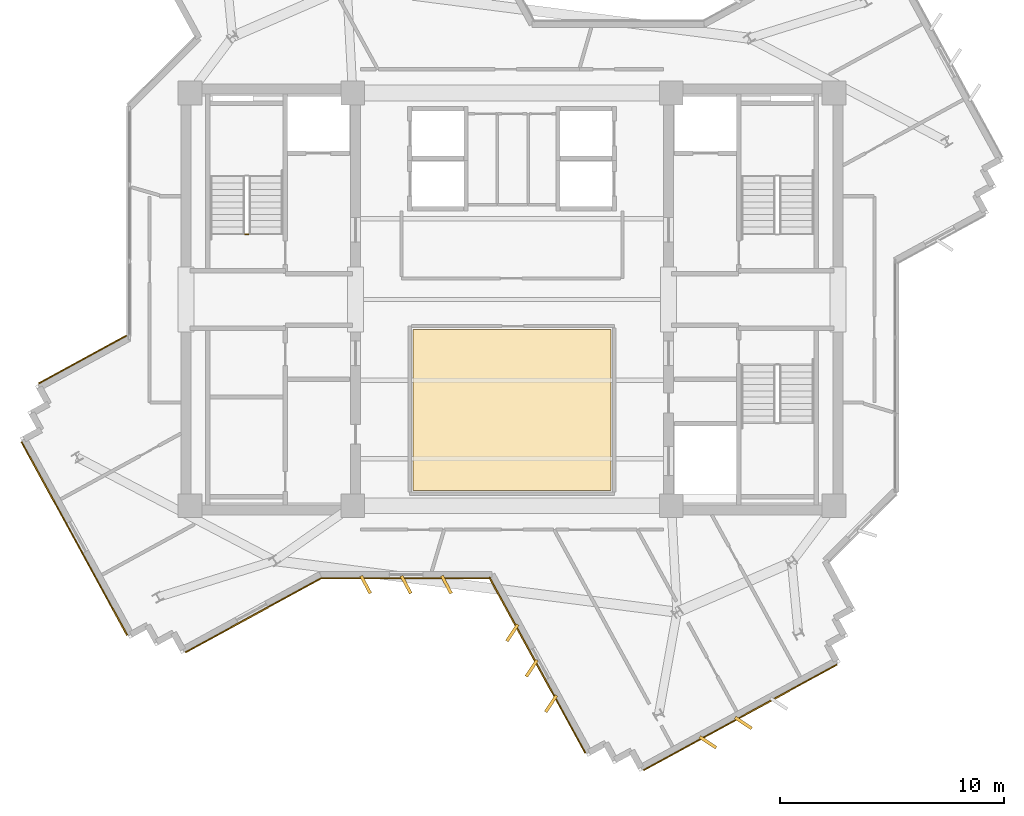
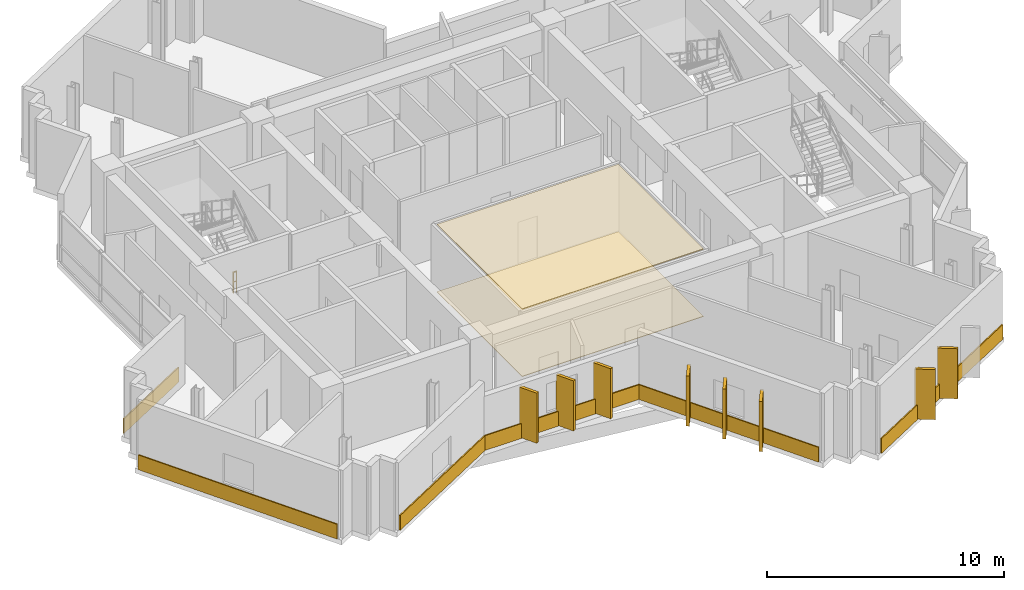
# One storey, part 10 of 13: 16 coverings, 1 railing.
"""IFC4 building model written with IfcOpenShell, lengths in metres."""

from ifc_helpers import new_model, si_unit, direction, frame, origin, origin_2d, place, context, subcontext, project, spatial, polyline, rectangle, outline, extrude, source, transform, mapped, material, layer, layer_set, type_object, element, save


model = new_model("IFC4")

# Units and contexts
model_context = context("Model", 3, precision=1e-05, world=origin(), true_north=direction((0.0, 1.0)))
body_context = subcontext(model_context, "Body", "Model", "MODEL_VIEW")
ifc_project = project(units=[si_unit("LENGTHUNIT", "METRE"), si_unit("AREAUNIT", "SQUARE_METRE"), si_unit("VOLUMEUNIT", "CUBIC_METRE"), si_unit("PLANEANGLEUNIT", "RADIAN"), si_unit("MASSUNIT", "GRAM", prefix="KILO")], contexts=[model_context])

# Site, building, storey
site_placement = place(None, origin())
site = spatial("IfcSite", under=ifc_project, at=site_placement, CompositionType="ELEMENT")
building_placement = place(site_placement, origin())
building = spatial("IfcBuilding", under=site, at=building_placement, Name="Zahravan Cultural Tower", CompositionType="ELEMENT")
storey_placement = place(building_placement, frame((0.0, 0.0, 250.35009765625)))
storey = spatial("IfcBuildingStorey", under=building, at=storey_placement, Name="L59", CompositionType="ELEMENT", Elevation=250.35009765625)

# Coverings
ifc_material_1 = material(Name="Acoustic mineral fibreboard")
ifc_layer_1 = layer(ifc_material_1, 0.0400390625)
ifc_layer_set_1 = layer_set([ifc_layer_1], Name="Acoustic mineral fibreboard")
covering_type_1 = type_object("IfcCoveringType", Name="COV-CEIL-AC20", PredefinedType="CEILING", material=ifc_layer_set_1)
covering_1_placement = place(storey_placement, frame((0.0, 0.0, 3.4599609375)))
element("IfcCovering", 1, at=covering_1_placement, inside=storey, type_object=covering_type_1, Name="L59 Acoustic Suspended Ceiling", PredefinedType="CEILING", context=body_context, shape_type="SweptSolid", body=[
    extrude(outline(polyline([(40.419921875, 25.669921875), (31.580078125, 25.669921875), (31.580078125, 18.47998046875), (40.419921875, 18.47998046875), (40.419921875, 25.669921875)])), origin(), (0.0, 0.0, 1.0), 0.0400390625),
])
ifc_material_2 = material(Name="Terrazzo flooring")
ifc_layer_2 = layer(ifc_material_2, 0.02490234375)
ifc_layer_set_2 = layer_set([ifc_layer_2], Name="Terrazzo flooring")
covering_type_2 = type_object("IfcCoveringType", Name="COV-FLR-TZ25", PredefinedType="FLOORING", material=ifc_layer_set_2)
covering_2_placement = place(storey_placement, origin())
element("IfcCovering", 2, at=covering_2_placement, inside=storey, type_object=covering_type_2, Name="L59 Polished Terrazzo Flooring", PredefinedType="FLOORING", context=body_context, shape_type="SweptSolid", body=[
    extrude(outline(polyline([(40.419921875, 25.669921875), (31.580078125, 25.669921875), (31.580078125, 18.47998046875), (40.419921875, 18.47998046875), (40.419921875, 25.669921875)])), origin(), (0.0, 0.0, 1.0), 0.02490234375),
])

# Railing
ifc_material_3 = material(Name="Steel ASTM A572 Grade 50", Category="steel")
railing_type = type_object("IfcRailingType", Name="RL-STAIR-GRD1150", PredefinedType="BALUSTRADE", material=ifc_material_3)
railing_placement = place(storey_placement, frame((24.25, 29.89990234375, 0.0)))
element("IfcRailing", 3, at=railing_placement, inside=storey, type_object=railing_type, Name="L59 ST-W1 stair guard 4", PredefinedType="BALUSTRADE", context=body_context, shape_type="SweptSolid", body=[
    extrude(rectangle(XDim=0.05, YDim=0.05, at=origin_2d()), frame((0.0, 0.0, 1.0751953125), z_axis=(-1.0, 0.0, 0.0), x_axis=(0.0, -1.0, 0.0)), (0.0, 0.0, 1.0), 0.14990234375),
    extrude(rectangle(XDim=0.032, YDim=0.032, at=origin_2d()), frame((0.0, 0.0, 0.572021484375), z_axis=(-1.0, 0.0, 0.0), x_axis=(0.0, -1.0, 0.0)), (0.0, 0.0, 1.0), 0.14990234375),
    extrude(rectangle(XDim=0.04, YDim=0.04, at=origin_2d()), origin(), (0.0, 0.0, 1.0), 1.10009765625),
    extrude(rectangle(XDim=0.04, YDim=0.04, at=origin_2d()), frame((-0.14990234375, 0.0, 0.0)), (0.0, 0.0, 1.0), 1.10009765625),
])

# Coverings
ifc_material_4 = material(Name="Terracotta ceramic cladding", Category="masonry")
ifc_layer_3 = layer(ifc_material_4, 0.06005859375)
ifc_layer_set_3 = layer_set([ifc_layer_3], Name="Terracotta ceramic cladding")
covering_type_3 = type_object("IfcCoveringType", Name="COV-CLAD-TC60", PredefinedType="CLADDING", material=ifc_layer_set_3)
shared_shape_1 = source(origin(), body_context, "Body", "SweptSolid", [
    extrude(rectangle(XDim=9.820068359375, YDim=0.06005859375, at=origin_2d()), origin(), (0.0, 0.0, 1.0), 0.760009765625),
])
for number, where, z_axis, x_axis, name in (
    (4, (46.176513671875, 8.373779296875, 0.02001953125), (0.0, 0.0, 1.0), (-0.877564903719, -0.479457860256, 0.0), "L59 Terracotta Spandrel Cladding 18"),
    (5, (16.49609375, 16.343994140625, 0.02001953125), (0.0, 0.0, 1.0), (-0.479457860256, 0.877564903719, 0.0), "L59 Terracotta Spandrel Cladding 30"),
):
    element("IfcCovering", number, at=place(storey_placement, frame(where, z_axis=z_axis, x_axis=x_axis)), inside=storey, type_object=covering_type_3, Name=name, PredefinedType="CLADDING", context=body_context, shape_type="MappedRepresentation", body=[
        mapped(shared_shape_1, transform((0.0, 0.0, 0.0), x_axis=(1.0, 0.0, 0.0), y_axis=(0.0, 1.0, 0.0), z_axis=(0.0, 0.0, 1.0), scale=1.0)),
    ])
shared_shape_2 = source(origin(), body_context, "Body", "SweptSolid", [
    extrude(rectangle(XDim=0.8798828125, YDim=0.139892578125, at=origin_2d()), origin(), (0.0, 0.0, 1.0), 2.580078125),
])
for number, where, z_axis, x_axis, name in (
    (6, (46.31298828125, 8.12353515625, 0.0498046875), (0.0, 0.0, 1.0), (0.835327930385, -0.549751988372, 0.0), "L59 Herringbone Terracotta Fin 10"),
    (7, (44.7333984375, 7.260498046875, 0.0498046875), (0.0, 0.0, 1.0), (0.835327930385, -0.549751988372, 0.0), "L59 Herringbone Terracotta Fin 11"),
    (8, (37.741455078125, 8.983154296875, 0.0498046875), (0.0, 0.0, 1.0), (-0.549751988372, -0.835327930385, 0.0), "L59 Herringbone Terracotta Fin 12"),
    (9, (36.87841796875, 10.562744140625, 0.0498046875), (0.0, 0.0, 1.0), (-0.549751988372, -0.835327930385, 0.0), "L59 Herringbone Terracotta Fin 13"),
    (10, (36.015380859375, 12.142578125, 0.0498046875), (0.0, 0.0, 1.0), (-0.549751988372, -0.835327930385, 0.0), "L59 Herringbone Terracotta Fin 14"),
    (11, (33.079833984375, 14.2900390625, 0.0498046875), (0.0, 0.0, 1.0), (0.469471562786, -0.882947592859, 0.0), "L59 Herringbone Terracotta Fin 15"),
    (12, (31.27978515625, 14.2900390625, 0.0498046875), (0.0, 0.0, 1.0), (0.469471562786, -0.882947592859, 0.0), "L59 Herringbone Terracotta Fin 16"),
    (13, (29.47998046875, 14.2900390625, 0.0498046875), (0.0, 0.0, 1.0), (0.469471562786, -0.882947592859, 0.0), "L59 Herringbone Terracotta Fin 17"),
):
    element("IfcCovering", number, at=place(storey_placement, frame(where, z_axis=z_axis, x_axis=x_axis)), inside=storey, type_object=covering_type_3, Name=name, PredefinedType="CLADDING", context=body_context, shape_type="MappedRepresentation", body=[
        mapped(shared_shape_2, transform((0.0, 0.0, 0.0), x_axis=(1.0, 0.0, 0.0), y_axis=(0.0, 1.0, 0.0), z_axis=(0.0, 0.0, 1.0), scale=1.0)),
    ])
shared_shape_3 = source(origin(), body_context, "Body", "SweptSolid", [
    extrude(rectangle(XDim=6.87939453125, YDim=0.06005859375, at=origin_2d()), origin(), (0.0, 0.0, 1.0), 0.760009765625),
])
covering_3_placement = place(storey_placement, frame((24.467529296875, 12.922119140625, 0.02001953125), z_axis=(0.0, 0.0, 1.0), x_axis=(-0.877564903719, -0.479457860256, 0.0)))
element("IfcCovering", 14, at=covering_3_placement, inside=storey, type_object=covering_type_3, Name="L59 Terracotta Spandrel Cladding 25", PredefinedType="CLADDING", context=body_context, shape_type="MappedRepresentation", body=[
    mapped(shared_shape_3, transform((0.0, 0.0, 0.0), x_axis=(1.0, 0.0, 0.0), y_axis=(0.0, 1.0, 0.0), z_axis=(0.0, 0.0, 1.0), scale=1.0)),
])
shared_shape_4 = source(origin(), body_context, "Body", "SweptSolid", [
    extrude(rectangle(XDim=4.45849609375, YDim=0.06005859375, at=origin_2d()), origin(), (0.0, 0.0, 1.0), 0.760009765625),
])
covering_4_placement = place(storey_placement, frame((16.860595703125, 24.320556640625, 0.02001953125), z_axis=(0.0, 0.0, 1.0), x_axis=(0.877564903719, 0.479457860256, 0.0)))
element("IfcCovering", 15, at=covering_4_placement, inside=storey, type_object=covering_type_3, Name="L59 Terracotta Spandrel Cladding 35", PredefinedType="CLADDING", context=body_context, shape_type="MappedRepresentation", body=[
    mapped(shared_shape_4, transform((0.0, 0.0, 0.0), x_axis=(1.0, 0.0, 0.0), y_axis=(0.0, 1.0, 0.0), z_axis=(0.0, 0.0, 1.0), scale=1.0)),
])
shared_shape_5 = source(origin(), body_context, "Body", "SweptSolid", [
    extrude(rectangle(XDim=8.92822265625, YDim=0.06005859375, at=origin_2d()), origin(), (0.0, 0.0, 1.0), 0.760009765625),
])
covering_5_placement = place(storey_placement, frame((37.128662109375, 10.699462890625, 0.02001953125), z_axis=(0.0, 0.0, 1.0), x_axis=(-0.479457860256, 0.877564903719, 0.0)))
element("IfcCovering", 16, at=covering_5_placement, inside=storey, type_object=covering_type_3, Name="L59 Terracotta Spandrel Cladding 23", PredefinedType="CLADDING", context=body_context, shape_type="MappedRepresentation", body=[
    mapped(shared_shape_5, transform((0.0, 0.0, 0.0), x_axis=(1.0, 0.0, 0.0), y_axis=(0.0, 1.0, 0.0), z_axis=(0.0, 0.0, 1.0), scale=1.0)),
])
shared_shape_6 = source(origin(), body_context, "Body", "SweptSolid", [
    extrude(rectangle(XDim=7.55810546875, YDim=0.06005859375, at=origin_2d()), origin(), (0.0, 0.0, 1.0), 0.760009765625),
])
covering_6_placement = place(storey_placement, frame((31.27978515625, 14.574951171875, 0.02001953125), z_axis=(0.0, 0.0, 1.0), x_axis=(-1.0, 0.0, 0.0)))
element("IfcCovering", 17, at=covering_6_placement, inside=storey, type_object=covering_type_3, Name="L59 Terracotta Spandrel Cladding 24", PredefinedType="CLADDING", context=body_context, shape_type="MappedRepresentation", body=[
    mapped(shared_shape_6, transform((0.0, 0.0, 0.0), x_axis=(1.0, 0.0, 0.0), y_axis=(0.0, 1.0, 0.0), z_axis=(0.0, 0.0, 1.0), scale=1.0)),
])

save(model, "model.ifc")
